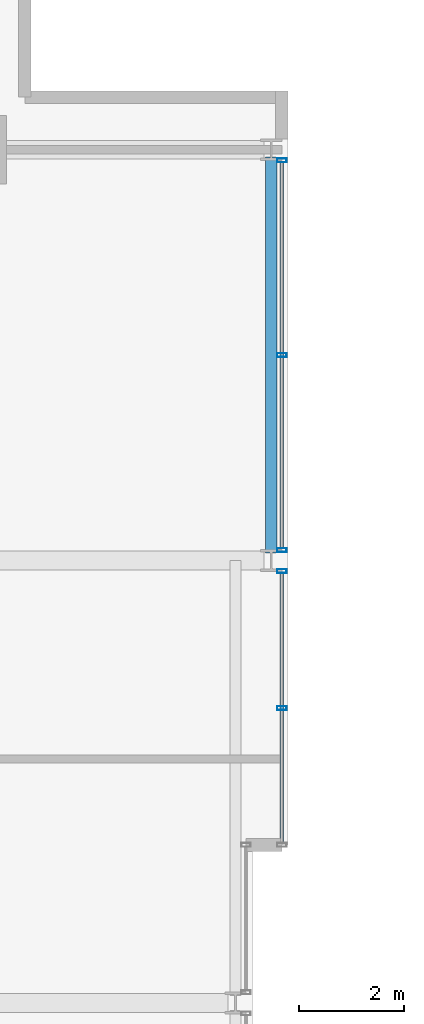
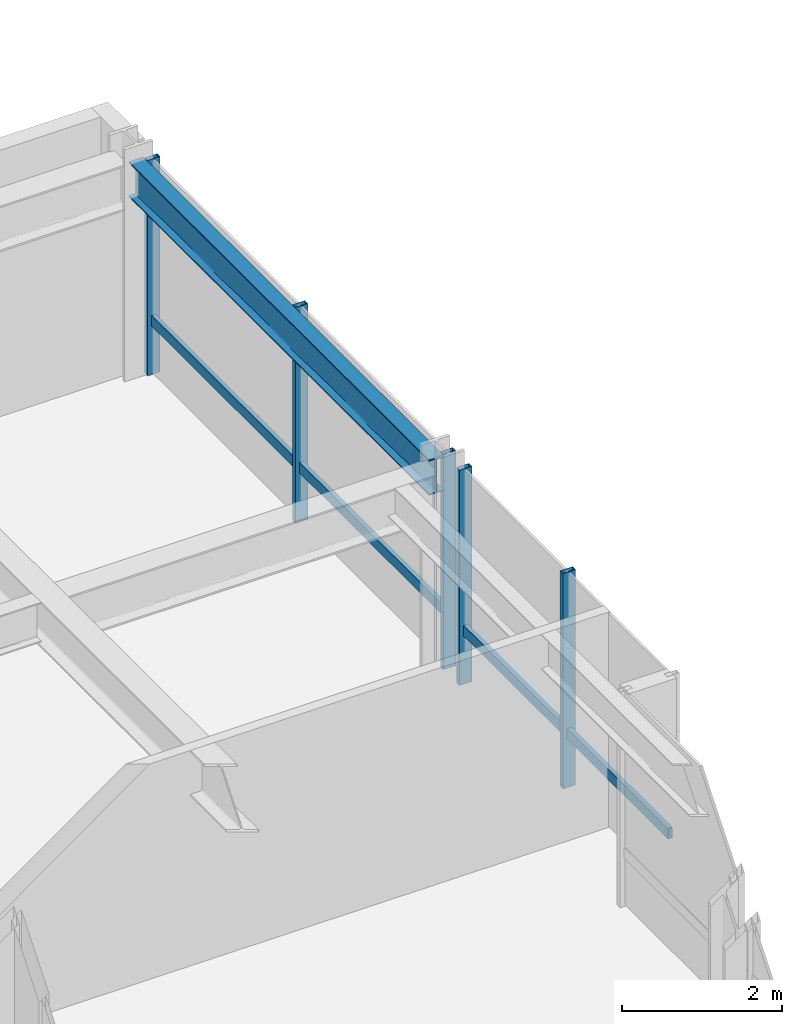
# One storey, part 24 of 32: 7 members, 1 beam, 2 elements without a shape of their own.
"""IFC4 building model written with IfcOpenShell, lengths in metres."""

from ifc_helpers import new_model, si_unit, direction, frame, origin, origin_2d, place, context, subcontext, project, spatial, hollow_rectangle, i_section, extrude, material, layer, layer_set, material_profile, profile_set, type_object, element, aggregate, save


model = new_model("IFC4")

# Units and contexts
model_context = context("Model", 3, precision=1e-05, world=origin(), true_north=direction((0.0, 1.0)))
body_context = subcontext(model_context, "Body", "Model", "MODEL_VIEW")
ifc_project = project(units=[si_unit("LENGTHUNIT", "METRE"), si_unit("AREAUNIT", "SQUARE_METRE"), si_unit("VOLUMEUNIT", "CUBIC_METRE"), si_unit("PLANEANGLEUNIT", "RADIAN"), si_unit("MASSUNIT", "GRAM", prefix="KILO")], contexts=[model_context])

# Site, building, storey
site_placement = place(None, origin())
site = spatial("IfcSite", under=ifc_project, at=site_placement, CompositionType="ELEMENT")
building_placement = place(site_placement, origin())
building = spatial("IfcBuilding", under=site, at=building_placement, Name="Drelvath Grand Hotel", CompositionType="ELEMENT")
storey_placement = place(building_placement, frame((0.0, 0.0, 164.60009765625)))
storey = spatial("IfcBuildingStorey", under=building, at=storey_placement, Name="L42", CompositionType="ELEMENT", Elevation=164.60009765625)

# Curtain wall, member
ifc_material_1 = material(Name="Brushed Pale-Silver Anodised Aluminium Frame", Category="aluminium")
ifc_layer = layer(ifc_material_1, 0.199951171875)
ifc_layer_set = layer_set([ifc_layer], Name="Brushed Pale-Silver Anodised Aluminium Frame")
curtain_wall_type = type_object("IfcCurtainWallType", Name="Stick Curtain Wall CW-04 Brushed Silver Upper-Mid", PredefinedType="NOTDEFINED", material=ifc_layer_set)
curtain_wall_1_placement = place(storey_placement, origin())
curtain_wall_1 = element("IfcCurtainWall", 1, at=curtain_wall_1_placement, inside=storey, type_object=curtain_wall_type, Name="L42 CW-04 Curtain Wall CW04-L42-EN1", PredefinedType="NOTDEFINED")
ifc_material_profile_1 = material_profile(ifc_material_1, hollow_rectangle(XDim=0.06494140625, YDim=0.159912109375, WallThickness=0.00390625, at=origin_2d()), Name="HSS160X65X4")
ifc_profile_set_1 = profile_set([ifc_material_profile_1], Name="Brushed Pale-Silver Anodised Aluminium Frame")
member_type_1 = type_object("IfcMemberType", Name="Curtain Wall Horizontal Transom CW-04 HSS160X65X4", PredefinedType="USERDEFINED", material=ifc_profile_set_1)
member_1_placement = place(storey_placement, frame((22.080078125, 35.159912109375, 0.822509765625), z_axis=(0.0, -1.0, 0.0), x_axis=(1.0, 0.0, 0.0)))
member_1 = element("IfcMember", 2, at=member_1_placement, type_object=member_type_1, Name="CW04-L42-EN1 Sill Transom", ObjectType="TRANSOM", PredefinedType="USERDEFINED", context=body_context, shape_type="SweptSolid", body=[
    extrude(hollow_rectangle(XDim=0.06494140625, YDim=0.159912109375, WallThickness=0.00390625, at=origin_2d()), origin(), (0.0, 0.0, 1.0), 5.119873046875),
])

curtain_wall_2_placement = place(storey_placement, origin())
curtain_wall_2 = element("IfcCurtainWall", 3, at=curtain_wall_2_placement, inside=storey, type_object=curtain_wall_type, Name="L42 CW-04 Curtain Wall CW04-L42-EN2", PredefinedType="NOTDEFINED")
member_2_placement = place(storey_placement, frame((22.080078125, 42.9599609375, 0.822509765625), z_axis=(0.0, -1.0, 0.0), x_axis=(1.0, 0.0, 0.0)))
member_2 = element("IfcMember", 4, at=member_2_placement, type_object=member_type_1, Name="CW04-L42-EN2 Sill Transom", ObjectType="TRANSOM", PredefinedType="USERDEFINED", context=body_context, shape_type="SweptSolid", body=[
    extrude(hollow_rectangle(XDim=0.06494140625, YDim=0.159912109375, WallThickness=0.00390625, at=origin_2d()), origin(), (0.0, 0.0, 1.0), 7.320068359375),
])

# Member
ifc_material_profile_2 = material_profile(ifc_material_1, hollow_rectangle(XDim=0.074951171875, YDim=0.179931640625, WallThickness=0.0048828125, at=origin_2d()), Name="HSS180X75X5")
ifc_profile_set_2 = profile_set([ifc_material_profile_2], Name="Brushed Pale-Silver Anodised Aluminium Frame")
member_type_2 = type_object("IfcMemberType", Name="Curtain Wall Vertical Mullion CW-04 HSS180X75X5", PredefinedType="MULLION", material=ifc_profile_set_2)
member_3_placement = place(storey_placement, frame((22.080078125, 35.199951171875, 0.0), z_axis=(0.0, 0.0, 1.0), x_axis=(0.0, 1.0, 0.0)))
member_3 = element("IfcMember", 5, at=member_3_placement, type_object=member_type_2, Name="CW04-L42-EN1 Mullion 1", PredefinedType="MULLION", context=body_context, shape_type="SweptSolid", body=[
    extrude(hollow_rectangle(XDim=0.074951171875, YDim=0.179931640625, WallThickness=0.0048828125, at=origin_2d()), origin(), (0.0, 0.0, 1.0), 3.289794921875),
])

member_4_placement = place(storey_placement, frame((22.080078125, 32.60009765625, 0.0), z_axis=(0.0, 0.0, 1.0), x_axis=(0.0, 1.0, 0.0)))
member_4 = element("IfcMember", 6, at=member_4_placement, type_object=member_type_2, Name="CW04-L42-EN1 Mullion 2", PredefinedType="MULLION", context=body_context, shape_type="SweptSolid", body=[
    extrude(hollow_rectangle(XDim=0.074951171875, YDim=0.179931640625, WallThickness=0.0048828125, at=origin_2d()), origin(), (0.0, 0.0, 1.0), 3.289794921875),
])

aggregate(curtain_wall_1, [member_3, member_4, member_1])

member_5_placement = place(storey_placement, frame((22.080078125, 43.0, 0.0), z_axis=(0.0, 0.0, 1.0), x_axis=(0.0, 1.0, 0.0)))
member_5 = element("IfcMember", 7, at=member_5_placement, type_object=member_type_2, Name="CW04-L42-EN2 Mullion 1", PredefinedType="MULLION", context=body_context, shape_type="SweptSolid", body=[
    extrude(hollow_rectangle(XDim=0.074951171875, YDim=0.179931640625, WallThickness=0.0048828125, at=origin_2d()), origin(), (0.0, 0.0, 1.0), 3.289794921875),
])

member_6_placement = place(storey_placement, frame((22.080078125, 39.300048828125, 0.0), z_axis=(0.0, 0.0, 1.0), x_axis=(0.0, 1.0, 0.0)))
member_6 = element("IfcMember", 8, at=member_6_placement, type_object=member_type_2, Name="CW04-L42-EN2 Mullion 2", PredefinedType="MULLION", context=body_context, shape_type="SweptSolid", body=[
    extrude(hollow_rectangle(XDim=0.074951171875, YDim=0.179931640625, WallThickness=0.0048828125, at=origin_2d()), origin(), (0.0, 0.0, 1.0), 3.289794921875),
])

member_7_placement = place(storey_placement, frame((22.080078125, 35.60009765625, 0.0), z_axis=(0.0, 0.0, 1.0), x_axis=(0.0, 1.0, 0.0)))
member_7 = element("IfcMember", 9, at=member_7_placement, type_object=member_type_2, Name="CW04-L42-EN2 Mullion 3", PredefinedType="MULLION", context=body_context, shape_type="SweptSolid", body=[
    extrude(hollow_rectangle(XDim=0.074951171875, YDim=0.179931640625, WallThickness=0.0048828125, at=origin_2d()), origin(), (0.0, 0.0, 1.0), 3.289794921875),
])

aggregate(curtain_wall_2, [member_5, member_6, member_7, member_2])

# Beam
ifc_material_2 = material(Name="Steel ASTM A992 Gr 50", Category="steel")
ifc_material_profile_3 = material_profile(ifc_material_2, i_section(OverallWidth=0.210205078125, OverallDepth=0.53662109375, WebThickness=0.010986328125, FlangeThickness=0.017333984375, FilletRadius=0.01806640625, at=origin_2d()), Name="W21X68")
ifc_profile_set_3 = profile_set([ifc_material_profile_3], Name="Steel ASTM A992 Gr 50")
beam_type = type_object("IfcBeamType", Name="Perimeter Spandrel Beam W21X68", PredefinedType="SPANDREL", material=ifc_profile_set_3)
beam_placement = place(storey_placement, frame((21.8798828125, 35.5400390625, 3.021484375), z_axis=(0.0, 1.0, 0.0), x_axis=(-1.0, 0.0, 0.0)))
element("IfcBeam", 10, at=beam_placement, inside=storey, type_object=beam_type, Name="L42 Spandrel East N", PredefinedType="SPANDREL", context=body_context, shape_type="SweptSolid", body=[
    extrude(i_section(OverallWidth=0.210205078125, OverallDepth=0.53662109375, WebThickness=0.010986328125, FlangeThickness=0.017333984375, FilletRadius=0.01806640625, at=origin_2d()), origin(), (0.0, 0.0, 1.0), 7.52001953125),
])

save(model, "model.ifc")
